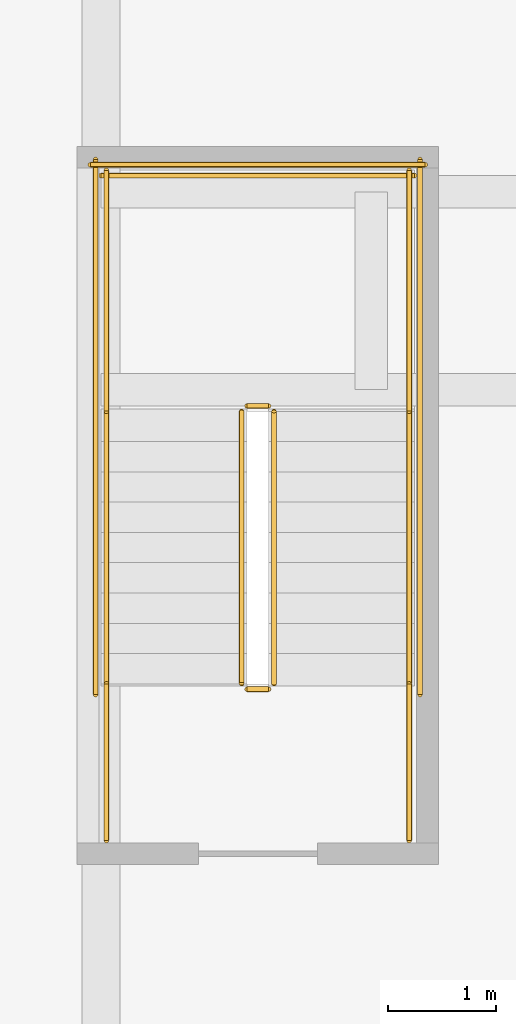
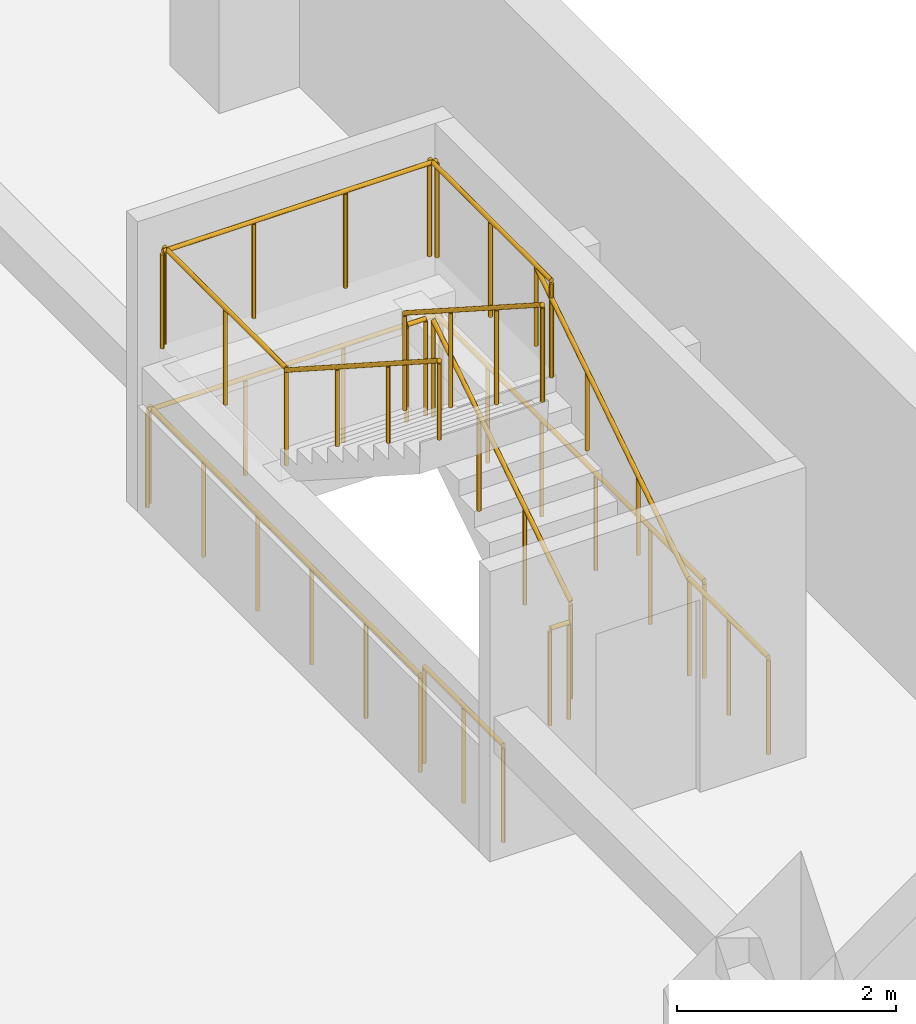
# One storey, part 9 of 10: 14 railings.
"""IFC4 building model written with IfcOpenShell, lengths in metres."""

from ifc_helpers import new_model, si_unit, direction, frame, origin, origin_2d, place, context, subcontext, project, spatial, circle, extrude, material, type_object, element, save


model = new_model("IFC4")

# Units and contexts
model_context = context("Model", 3, precision=1e-05, world=origin(), true_north=direction((0.0, 1.0)))
body_context = subcontext(model_context, "Body", "Model", "MODEL_VIEW")
ifc_project = project(units=[si_unit("LENGTHUNIT", "METRE"), si_unit("AREAUNIT", "SQUARE_METRE"), si_unit("VOLUMEUNIT", "CUBIC_METRE"), si_unit("PLANEANGLEUNIT", "RADIAN"), si_unit("MASSUNIT", "GRAM", prefix="KILO")], contexts=[model_context])

# Site, building, storey
site_placement = place(None, origin())
site = spatial("IfcSite", under=ifc_project, at=site_placement, CompositionType="ELEMENT")
building_placement = place(site_placement, origin())
building = spatial("IfcBuilding", under=site, at=building_placement, Name="Serunith Strait Residences", CompositionType="ELEMENT")
storey_placement = place(building_placement, frame((0.0, 0.0, -7.199951171875)))
storey = spatial("IfcBuildingStorey", under=building, at=storey_placement, Name="B02", CompositionType="ELEMENT", Elevation=-7.199951171875)

# Railings
ifc_material = material(Name="Brushed stainless steel 316L", Category="steel")
railing_type_1 = type_object("IfcRailingType", Name="RLG-STAIR-GUARD", PredefinedType="BALUSTRADE", material=ifc_material)
railing_1_placement = place(storey_placement, frame((61.5, 23.25, 0.179931640625)))
element("IfcRailing", 1, at=railing_1_placement, inside=storey, type_object=railing_type_1, Name="B02 ST-6 stair guard 1", PredefinedType="BALUSTRADE", context=body_context, shape_type="SweptSolid", body=[
    extrude(circle(Radius=0.02392578125, at=origin_2d()), frame((0.0, 0.001708984375, 1.0771484375), z_axis=(0.0, 0.841162588446, 0.540782303519), x_axis=(-1.0, 0.0, 0.0)), (0.0, 0.0, 1.0), 2.991943359375),
    extrude(circle(Radius=0.02099609375, at=origin_2d()), origin(), (0.0, 0.0, 1.0), 1.050048828125),
    extrude(circle(Radius=0.02099609375, at=origin_2d()), frame((0.0, 0.840087890625, 0.5400390625)), (0.0, 0.0, 1.0), 1.050048828125),
    extrude(circle(Radius=0.02099609375, at=origin_2d()), frame((0.0, 1.679931640625, 1.080078125)), (0.0, 0.0, 1.0), 1.050048828125),
    extrude(circle(Radius=0.02099609375, at=origin_2d()), frame((0.0, 2.52001953125, 1.6201171875)), (0.0, 0.0, 1.0), 1.050048828125),
])
railing_2_placement = place(storey_placement, frame((61.449951171875, 25.820068359375, 1.800048828125)))
element("IfcRailing", 2, at=railing_2_placement, inside=storey, type_object=railing_type_1, Name="B02 ST-6 stair guard 2", PredefinedType="BALUSTRADE", context=body_context, shape_type="SweptSolid", body=[
    extrude(circle(Radius=0.02392578125, at=origin_2d()), frame((-0.001953125, 0.0, 1.076171875), z_axis=(-1.0, 0.0, 0.0), x_axis=(0.0, -1.0, 0.0)), (0.0, 0.0, 1.0), 0.196044921875),
    extrude(circle(Radius=0.02099609375, at=origin_2d()), origin(), (0.0, 0.0, 1.0), 1.050048828125),
    extrude(circle(Radius=0.02099609375, at=origin_2d()), frame((-0.199951171875, 0.0, 0.0)), (0.0, 0.0, 1.0), 1.050048828125),
])
for number, where, name in (
    (3, (62.75, 25.77001953125, 1.800048828125), "B02 ST-6 stair guard 3"),
    (4, (59.949951171875, 25.77001953125, 1.800048828125), "B02 ST-6 stair guard 4"),
):
    element("IfcRailing", number, at=place(storey_placement, frame(where)), inside=storey, type_object=railing_type_1, Name=name, PredefinedType="BALUSTRADE", context=body_context, shape_type="SweptSolid", body=[
        extrude(circle(Radius=0.02392578125, at=origin_2d()), frame((0.0, 0.001953125, 1.076171875), z_axis=(0.0, 1.0, 0.0), x_axis=(-1.0, 0.0, 0.0)), (0.0, 0.0, 1.0), 2.22607421875),
        extrude(circle(Radius=0.02099609375, at=origin_2d()), origin(), (0.0, 0.0, 1.0), 1.050048828125),
        extrude(circle(Radius=0.02099609375, at=origin_2d()), frame((0.0, 1.114990234375, 0.0)), (0.0, 0.0, 1.0), 1.050048828125),
        extrude(circle(Radius=0.02099609375, at=origin_2d()), frame((0.0, 2.22998046875, 0.0)), (0.0, 0.0, 1.0), 1.050048828125),
    ])
railing_3_placement = place(storey_placement, frame((62.800048828125, 27.949951171875, 1.800048828125)))
element("IfcRailing", 5, at=railing_3_placement, inside=storey, type_object=railing_type_1, Name="B02 ST-6 stair guard 5", PredefinedType="BALUSTRADE", context=body_context, shape_type="SweptSolid", body=[
    extrude(circle(Radius=0.02392578125, at=origin_2d()), frame((-0.001953125, 0.0, 1.076171875), z_axis=(-1.0, 0.0, 0.0), x_axis=(0.0, -1.0, 0.0)), (0.0, 0.0, 1.0), 2.896240234375),
    extrude(circle(Radius=0.02099609375, at=origin_2d()), origin(), (0.0, 0.0, 1.0), 1.050048828125),
    extrude(circle(Radius=0.02099609375, at=origin_2d()), frame((-0.966796875, 0.0, 0.0)), (0.0, 0.0, 1.0), 1.050048828125),
    extrude(circle(Radius=0.02099609375, at=origin_2d()), frame((-1.933349609375, 0.0, 0.0)), (0.0, 0.0, 1.0), 1.050048828125),
    extrude(circle(Radius=0.02099609375, at=origin_2d()), frame((-2.900146484375, 0.0, 0.0)), (0.0, 0.0, 1.0), 1.050048828125),
])
railing_4_placement = place(storey_placement, frame((61.199951171875, 25.77001953125, 1.97998046875)))
element("IfcRailing", 6, at=railing_4_placement, inside=storey, type_object=railing_type_1, Name="B02 ST-6 stair guard 6", PredefinedType="BALUSTRADE", context=body_context, shape_type="SweptSolid", body=[
    extrude(circle(Radius=0.02392578125, at=origin_2d()), frame((0.0, -0.001708984375, 1.0771484375), z_axis=(0.0, -0.841199657755, 0.540724639528), x_axis=(1.0, 0.0, 0.0)), (0.0, 0.0, 1.0), 2.99169921875),
    extrude(circle(Radius=0.02099609375, at=origin_2d()), origin(), (0.0, 0.0, 1.0), 1.050048828125),
    extrude(circle(Radius=0.02099609375, at=origin_2d()), frame((0.0, -0.840087890625, 0.5400390625)), (0.0, 0.0, 1.0), 1.050048828125),
    extrude(circle(Radius=0.02099609375, at=origin_2d()), frame((0.0, -1.679931640625, 1.079833984375)), (0.0, 0.0, 1.0), 1.050048828125),
    extrude(circle(Radius=0.02099609375, at=origin_2d()), frame((0.0, -2.52001953125, 1.619873046875)), (0.0, 0.0, 1.0), 1.050048828125),
])
railing_5_placement = place(storey_placement, frame((61.449951171875, 23.199951171875, 0.0)))
element("IfcRailing", 7, at=railing_5_placement, inside=storey, type_object=railing_type_1, Name="B02 ST-6 stair guard 7", PredefinedType="BALUSTRADE", context=body_context, shape_type="SweptSolid", body=[
    extrude(circle(Radius=0.02392578125, at=origin_2d()), frame((-0.001953125, 0.0, 1.076171875), z_axis=(-1.0, 0.0, 0.0), x_axis=(0.0, -1.0, 0.0)), (0.0, 0.0, 1.0), 0.196044921875),
    extrude(circle(Radius=0.02099609375, at=origin_2d()), origin(), (0.0, 0.0, 1.0), 1.050048828125),
    extrude(circle(Radius=0.02099609375, at=origin_2d()), frame((-0.199951171875, 0.0, 0.0)), (0.0, 0.0, 1.0), 1.050048828125),
])
for number, where, name in (
    (8, (62.75, 21.800048828125, 0.0), "B02 ST-6 stair guard 8"),
    (9, (59.949951171875, 21.800048828125, 0.0), "B02 ST-6 stair guard 9"),
):
    element("IfcRailing", number, at=place(storey_placement, frame(where)), inside=storey, type_object=railing_type_1, Name=name, PredefinedType="BALUSTRADE", context=body_context, shape_type="SweptSolid", body=[
        extrude(circle(Radius=0.02392578125, at=origin_2d()), frame((0.0, 0.001953125, 1.076171875), z_axis=(0.0, 1.0, 0.0), x_axis=(-1.0, 0.0, 0.0)), (0.0, 0.0, 1.0), 1.446044921875),
        extrude(circle(Radius=0.02099609375, at=origin_2d()), origin(), (0.0, 0.0, 1.0), 1.050048828125),
        extrude(circle(Radius=0.02099609375, at=origin_2d()), frame((0.0, 0.72509765625, 0.0)), (0.0, 0.0, 1.0), 1.050048828125),
        extrude(circle(Radius=0.02099609375, at=origin_2d()), frame((0.0, 1.449951171875, 0.0)), (0.0, 0.0, 1.0), 1.050048828125),
    ])
for number, where, name in (
    (10, (62.85009765625, 23.14990234375, 0.0), "B02 ST-6 stair guard 10"),
    (11, (59.85009765625, 23.14990234375, 0.0), "B02 ST-6 stair guard 11"),
):
    element("IfcRailing", number, at=place(storey_placement, frame(where)), inside=storey, type_object=railing_type_1, Name=name, PredefinedType="BALUSTRADE", context=body_context, shape_type="SweptSolid", body=[
        extrude(circle(Radius=0.02392578125, at=origin_2d()), frame((0.0, 0.001953125, 1.076171875), z_axis=(0.0, 1.0, 0.0), x_axis=(-1.0, 0.0, 0.0)), (0.0, 0.0, 1.0), 4.9462890625),
        extrude(circle(Radius=0.02099609375, at=origin_2d()), origin(), (0.0, 0.0, 1.0), 1.050048828125),
        extrude(circle(Radius=0.02099609375, at=origin_2d()), frame((0.0, 0.989990234375, 0.0)), (0.0, 0.0, 1.0), 1.050048828125),
        extrude(circle(Radius=0.02099609375, at=origin_2d()), frame((0.0, 1.97998046875, 0.0)), (0.0, 0.0, 1.0), 1.050048828125),
        extrude(circle(Radius=0.02099609375, at=origin_2d()), frame((0.0, 2.97021484375, 0.0)), (0.0, 0.0, 1.0), 1.050048828125),
        extrude(circle(Radius=0.02099609375, at=origin_2d()), frame((0.0, 3.960205078125, 0.0)), (0.0, 0.0, 1.0), 1.050048828125),
        extrude(circle(Radius=0.02099609375, at=origin_2d()), frame((0.0, 4.9501953125, 0.0)), (0.0, 0.0, 1.0), 1.050048828125),
    ])
railing_6_placement = place(storey_placement, frame((62.89990234375, 28.050048828125, 0.0)))
element("IfcRailing", 12, at=railing_6_placement, inside=storey, type_object=railing_type_1, Name="B02 ST-6 stair guard 12", PredefinedType="BALUSTRADE", context=body_context, shape_type="SweptSolid", body=[
    extrude(circle(Radius=0.02392578125, at=origin_2d()), frame((-0.001953125, 0.0, 1.076171875), z_axis=(-1.0, 0.0, 0.0), x_axis=(0.0, -1.0, 0.0)), (0.0, 0.0, 1.0), 3.095947265625),
    extrude(circle(Radius=0.02099609375, at=origin_2d()), origin(), (0.0, 0.0, 1.0), 1.050048828125),
    extrude(circle(Radius=0.02099609375, at=origin_2d()), frame((-1.033203125, 0.0, 0.0)), (0.0, 0.0, 1.0), 1.050048828125),
    extrude(circle(Radius=0.02099609375, at=origin_2d()), frame((-2.066650390625, 0.0, 0.0)), (0.0, 0.0, 1.0), 1.050048828125),
    extrude(circle(Radius=0.02099609375, at=origin_2d()), frame((-3.099853515625, 0.0, 0.0)), (0.0, 0.0, 1.0), 1.050048828125),
])
railing_type_2 = type_object("IfcRailingType", Name="RLG-STAIR-HR", PredefinedType="HANDRAIL", material=ifc_material)
railing_7_placement = place(storey_placement, frame((62.75, 23.25, 0.179931640625)))
element("IfcRailing", 13, at=railing_7_placement, inside=storey, type_object=railing_type_2, Name="B02 ST-6 stair handrail 1", PredefinedType="HANDRAIL", context=body_context, shape_type="SweptSolid", body=[
    extrude(circle(Radius=0.02392578125, at=origin_2d()), frame((0.0, 0.001708984375, 0.876953125), z_axis=(0.0, 0.840508739616, 0.541797986919), x_axis=(-1.0, 0.0, 0.0)), (0.0, 0.0, 1.0), 3.327392578125),
    extrude(circle(Radius=0.02099609375, at=origin_2d()), origin(), (0.0, 0.0, 1.0), 0.849853515625),
    extrude(circle(Radius=0.02099609375, at=origin_2d()), frame((0.0, 0.933349609375, 0.6015625)), (0.0, 0.0, 1.0), 0.849853515625),
    extrude(circle(Radius=0.02099609375, at=origin_2d()), frame((0.0, 1.86669921875, 1.203369140625)), (0.0, 0.0, 1.0), 0.849853515625),
    extrude(circle(Radius=0.02099609375, at=origin_2d()), frame((0.0, 2.800048828125, 1.804931640625)), (0.0, 0.0, 1.0), 0.849853515625),
])
railing_8_placement = place(storey_placement, frame((59.949951171875, 25.77001953125, 1.97998046875)))
element("IfcRailing", 14, at=railing_8_placement, inside=storey, type_object=railing_type_2, Name="B02 ST-6 stair handrail 2", PredefinedType="HANDRAIL", context=body_context, shape_type="SweptSolid", body=[
    extrude(circle(Radius=0.02392578125, at=origin_2d()), frame((0.0, -0.001708984375, 0.876953125), z_axis=(0.0, -0.840508739616, 0.541797986919), x_axis=(1.0, 0.0, 0.0)), (0.0, 0.0, 1.0), 3.327392578125),
    extrude(circle(Radius=0.02099609375, at=origin_2d()), origin(), (0.0, 0.0, 1.0), 0.849853515625),
    extrude(circle(Radius=0.02099609375, at=origin_2d()), frame((0.0, -0.933349609375, 0.6015625)), (0.0, 0.0, 1.0), 0.849853515625),
    extrude(circle(Radius=0.02099609375, at=origin_2d()), frame((0.0, -1.86669921875, 1.203369140625)), (0.0, 0.0, 1.0), 0.849853515625),
    extrude(circle(Radius=0.02099609375, at=origin_2d()), frame((0.0, -2.800048828125, 1.804931640625)), (0.0, 0.0, 1.0), 0.849853515625),
])

save(model, "model.ifc")
